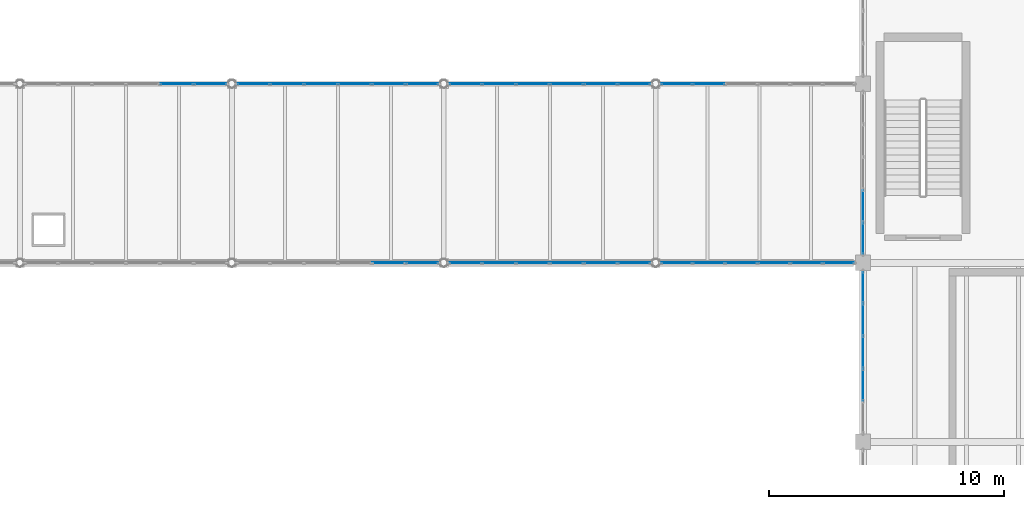
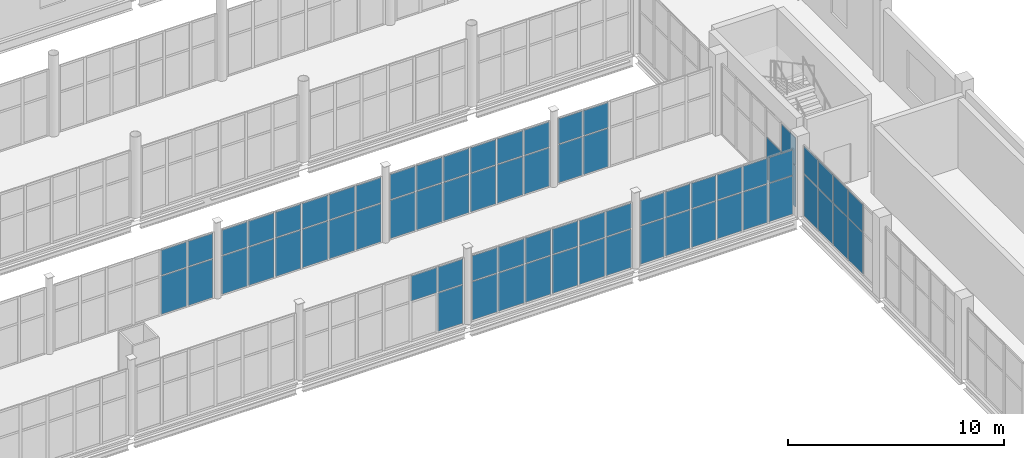
# One storey, part 138 of 172: 70 plates, 9 elements without a shape of their own.
"""IFC4 building model written with IfcOpenShell, lengths in metres."""

from ifc_helpers import new_model, si_unit, direction, frame, origin, origin_2d, place, context, subcontext, project, spatial, rectangle, extrude, material, layer, layer_set, type_object, element, aggregate, save


model = new_model("IFC4")

# Units and contexts
model_context = context("Model", 3, precision=1e-05, world=origin(), true_north=direction((0.0, 1.0)))
body_context = subcontext(model_context, "Body", "Model", "MODEL_VIEW")
ifc_project = project(units=[si_unit("LENGTHUNIT", "METRE"), si_unit("AREAUNIT", "SQUARE_METRE"), si_unit("VOLUMEUNIT", "CUBIC_METRE"), si_unit("PLANEANGLEUNIT", "RADIAN"), si_unit("MASSUNIT", "GRAM", prefix="KILO")], contexts=[model_context])

# Site, building, storey
site_placement = place(None, origin())
site = spatial("IfcSite", under=ifc_project, at=site_placement, CompositionType="ELEMENT")
building_placement = place(site_placement, origin())
building = spatial("IfcBuilding", under=site, at=building_placement, Name="Shengluoqiao Park Theatre", CompositionType="ELEMENT")
storey_placement = place(building_placement, frame((0.0, 0.0, 5.39990234375)))
storey = spatial("IfcBuildingStorey", under=building, at=storey_placement, Name="L01", CompositionType="ELEMENT", Elevation=5.39990234375)

# Curtain wall, plates
ifc_material_1 = material(Name="Aluminium 6063-T6", Category="aluminium")
curtain_wall_type_1 = type_object("IfcCurtainWallType", Name="ENV-CW-BRIDGE", PredefinedType="NOTDEFINED", material=ifc_material_1)
curtain_wall_1_placement = place(storey_placement, origin())
curtain_wall_1 = element("IfcCurtainWall", 1, at=curtain_wall_1_placement, inside=storey, type_object=curtain_wall_type_1, Name="L01 Curtain Wall CWX-L01-0133", PredefinedType="NOTDEFINED")
ifc_material_2 = material(Name="Insulated glass", Category="glass")
ifc_layer = layer(ifc_material_2, 0.0380859375, Name="Insulated glass")
ifc_layer_set = layer_set([ifc_layer], Name="Insulated glass")
plate_type = type_object("IfcPlateType", Name="ENV-GLZ-GL-38", PredefinedType="CURTAIN_PANEL", material=ifc_layer_set)
plate_1_placement = place(storey_placement, frame((137.05908203125, 53.199951171875, 2.28125), z_axis=(0.0, 0.0, 1.0), x_axis=(1.0, 0.0, 0.0)))
plate_1 = element("IfcPlate", 2, at=plate_1_placement, type_object=plate_type, Name="CW-03 panel 5.2", PredefinedType="CURTAIN_PANEL", context=body_context, shape_type="SweptSolid", body=[
    extrude(rectangle(XDim=1.37939453125, YDim=0.0380859375, at=origin_2d()), origin(), (0.0, 0.0, 1.0), 1.410888671875),
])
plate_2_placement = place(storey_placement, frame((138.4833984375, 53.199951171875, 0.06005859375), z_axis=(0.0, 0.0, 1.0), x_axis=(1.0, 0.0, 0.0)))
plate_2 = element("IfcPlate", 3, at=plate_2_placement, type_object=plate_type, Name="CW-03 panel 6.1", PredefinedType="CURTAIN_PANEL", context=body_context, shape_type="SweptSolid", body=[
    extrude(rectangle(XDim=1.349365234375, YDim=0.0380859375, at=origin_2d()), origin(), (0.0, 0.0, 1.0), 2.160888671875),
])
plate_3_placement = place(storey_placement, frame((138.4833984375, 53.199951171875, 2.28125), z_axis=(0.0, 0.0, 1.0), x_axis=(1.0, 0.0, 0.0)))
plate_3 = element("IfcPlate", 4, at=plate_3_placement, type_object=plate_type, Name="CW-03 panel 6.2", PredefinedType="CURTAIN_PANEL", context=body_context, shape_type="SweptSolid", body=[
    extrude(rectangle(XDim=1.349365234375, YDim=0.0380859375, at=origin_2d()), origin(), (0.0, 0.0, 1.0), 1.410888671875),
])
aggregate(curtain_wall_1, [plate_1, plate_2, plate_3])

curtain_wall_2_placement = place(storey_placement, origin())
curtain_wall_2 = element("IfcCurtainWall", 5, at=curtain_wall_2_placement, inside=storey, type_object=curtain_wall_type_1, Name="L01 Curtain Wall CWX-L01-0134", PredefinedType="NOTDEFINED")
plate_4_placement = place(storey_placement, frame((140.316650390625, 53.199951171875, 0.06005859375), z_axis=(0.0, 0.0, 1.0), x_axis=(1.0, 0.0, 0.0)))
plate_4 = element("IfcPlate", 6, at=plate_4_placement, type_object=plate_type, Name="CW-03 panel 1.1", PredefinedType="CURTAIN_PANEL", context=body_context, shape_type="SweptSolid", body=[
    extrude(rectangle(XDim=1.349365234375, YDim=0.0380859375, at=origin_2d()), origin(), (0.0, 0.0, 1.0), 2.160888671875),
])
plate_5_placement = place(storey_placement, frame((140.316650390625, 53.199951171875, 2.28125), z_axis=(0.0, 0.0, 1.0), x_axis=(1.0, 0.0, 0.0)))
plate_5 = element("IfcPlate", 7, at=plate_5_placement, type_object=plate_type, Name="CW-03 panel 1.2", PredefinedType="CURTAIN_PANEL", context=body_context, shape_type="SweptSolid", body=[
    extrude(rectangle(XDim=1.349365234375, YDim=0.0380859375, at=origin_2d()), origin(), (0.0, 0.0, 1.0), 1.410888671875),
])
plate_6_placement = place(storey_placement, frame((141.740966796875, 53.199951171875, 0.06005859375), z_axis=(0.0, 0.0, 1.0), x_axis=(1.0, 0.0, 0.0)))
plate_6 = element("IfcPlate", 8, at=plate_6_placement, type_object=plate_type, Name="CW-03 panel 2.1", PredefinedType="CURTAIN_PANEL", context=body_context, shape_type="SweptSolid", body=[
    extrude(rectangle(XDim=1.37939453125, YDim=0.0380859375, at=origin_2d()), origin(), (0.0, 0.0, 1.0), 2.160888671875),
])
plate_7_placement = place(storey_placement, frame((141.740966796875, 53.199951171875, 2.28125), z_axis=(0.0, 0.0, 1.0), x_axis=(1.0, 0.0, 0.0)))
plate_7 = element("IfcPlate", 9, at=plate_7_placement, type_object=plate_type, Name="CW-03 panel 2.2", PredefinedType="CURTAIN_PANEL", context=body_context, shape_type="SweptSolid", body=[
    extrude(rectangle(XDim=1.37939453125, YDim=0.0380859375, at=origin_2d()), origin(), (0.0, 0.0, 1.0), 1.410888671875),
])
plate_8_placement = place(storey_placement, frame((143.180419921875, 53.199951171875, 0.06005859375), z_axis=(0.0, 0.0, 1.0), x_axis=(1.0, 0.0, 0.0)))
plate_8 = element("IfcPlate", 10, at=plate_8_placement, type_object=plate_type, Name="CW-03 panel 3.1", PredefinedType="CURTAIN_PANEL", context=body_context, shape_type="SweptSolid", body=[
    extrude(rectangle(XDim=1.37939453125, YDim=0.0380859375, at=origin_2d()), origin(), (0.0, 0.0, 1.0), 2.160888671875),
])
plate_9_placement = place(storey_placement, frame((143.180419921875, 53.199951171875, 2.28125), z_axis=(0.0, 0.0, 1.0), x_axis=(1.0, 0.0, 0.0)))
plate_9 = element("IfcPlate", 11, at=plate_9_placement, type_object=plate_type, Name="CW-03 panel 3.2", PredefinedType="CURTAIN_PANEL", context=body_context, shape_type="SweptSolid", body=[
    extrude(rectangle(XDim=1.37939453125, YDim=0.0380859375, at=origin_2d()), origin(), (0.0, 0.0, 1.0), 1.410888671875),
])
plate_10_placement = place(storey_placement, frame((144.61962890625, 53.199951171875, 0.06005859375), z_axis=(0.0, 0.0, 1.0), x_axis=(1.0, 0.0, 0.0)))
plate_10 = element("IfcPlate", 12, at=plate_10_placement, type_object=plate_type, Name="CW-03 panel 4.1", PredefinedType="CURTAIN_PANEL", context=body_context, shape_type="SweptSolid", body=[
    extrude(rectangle(XDim=1.37939453125, YDim=0.0380859375, at=origin_2d()), origin(), (0.0, 0.0, 1.0), 2.160888671875),
])
plate_11_placement = place(storey_placement, frame((144.61962890625, 53.199951171875, 2.28125), z_axis=(0.0, 0.0, 1.0), x_axis=(1.0, 0.0, 0.0)))
plate_11 = element("IfcPlate", 13, at=plate_11_placement, type_object=plate_type, Name="CW-03 panel 4.2", PredefinedType="CURTAIN_PANEL", context=body_context, shape_type="SweptSolid", body=[
    extrude(rectangle(XDim=1.37939453125, YDim=0.0380859375, at=origin_2d()), origin(), (0.0, 0.0, 1.0), 1.410888671875),
])
plate_12_placement = place(storey_placement, frame((146.05908203125, 53.199951171875, 0.06005859375), z_axis=(0.0, 0.0, 1.0), x_axis=(1.0, 0.0, 0.0)))
plate_12 = element("IfcPlate", 14, at=plate_12_placement, type_object=plate_type, Name="CW-03 panel 5.1", PredefinedType="CURTAIN_PANEL", context=body_context, shape_type="SweptSolid", body=[
    extrude(rectangle(XDim=1.37939453125, YDim=0.0380859375, at=origin_2d()), origin(), (0.0, 0.0, 1.0), 2.160888671875),
])
plate_13_placement = place(storey_placement, frame((146.05908203125, 53.199951171875, 2.28125), z_axis=(0.0, 0.0, 1.0), x_axis=(1.0, 0.0, 0.0)))
plate_13 = element("IfcPlate", 15, at=plate_13_placement, type_object=plate_type, Name="CW-03 panel 5.2", PredefinedType="CURTAIN_PANEL", context=body_context, shape_type="SweptSolid", body=[
    extrude(rectangle(XDim=1.37939453125, YDim=0.0380859375, at=origin_2d()), origin(), (0.0, 0.0, 1.0), 1.410888671875),
])
plate_14_placement = place(storey_placement, frame((147.4833984375, 53.199951171875, 0.06005859375), z_axis=(0.0, 0.0, 1.0), x_axis=(1.0, 0.0, 0.0)))
plate_14 = element("IfcPlate", 16, at=plate_14_placement, type_object=plate_type, Name="CW-03 panel 6.1", PredefinedType="CURTAIN_PANEL", context=body_context, shape_type="SweptSolid", body=[
    extrude(rectangle(XDim=1.349365234375, YDim=0.0380859375, at=origin_2d()), origin(), (0.0, 0.0, 1.0), 2.160888671875),
])
plate_15_placement = place(storey_placement, frame((147.4833984375, 53.199951171875, 2.28125), z_axis=(0.0, 0.0, 1.0), x_axis=(1.0, 0.0, 0.0)))
plate_15 = element("IfcPlate", 17, at=plate_15_placement, type_object=plate_type, Name="CW-03 panel 6.2", PredefinedType="CURTAIN_PANEL", context=body_context, shape_type="SweptSolid", body=[
    extrude(rectangle(XDim=1.349365234375, YDim=0.0380859375, at=origin_2d()), origin(), (0.0, 0.0, 1.0), 1.410888671875),
])
aggregate(curtain_wall_2, [plate_4, plate_5, plate_6, plate_7, plate_8, plate_9, plate_10, plate_11, plate_12, plate_13, plate_14, plate_15])

curtain_wall_3_placement = place(storey_placement, origin())
curtain_wall_3 = element("IfcCurtainWall", 18, at=curtain_wall_3_placement, inside=storey, type_object=curtain_wall_type_1, Name="L01 Curtain Wall CWX-L01-0135", PredefinedType="NOTDEFINED")
plate_16_placement = place(storey_placement, frame((149.287841796875, 53.199951171875, 0.06005859375), z_axis=(0.0, 0.0, 1.0), x_axis=(1.0, 0.0, 0.0)))
plate_16 = element("IfcPlate", 19, at=plate_16_placement, type_object=plate_type, Name="CW-03 panel 1.1", PredefinedType="CURTAIN_PANEL", context=body_context, shape_type="SweptSolid", body=[
    extrude(rectangle(XDim=1.29150390625, YDim=0.0380859375, at=origin_2d()), origin(), (0.0, 0.0, 1.0), 2.155029296875),
])
plate_17_placement = place(storey_placement, frame((149.287841796875, 53.199951171875, 2.27490234375), z_axis=(0.0, 0.0, 1.0), x_axis=(1.0, 0.0, 0.0)))
plate_17 = element("IfcPlate", 20, at=plate_17_placement, type_object=plate_type, Name="CW-03 panel 1.2", PredefinedType="CURTAIN_PANEL", context=body_context, shape_type="SweptSolid", body=[
    extrude(rectangle(XDim=1.29150390625, YDim=0.0380859375, at=origin_2d()), origin(), (0.0, 0.0, 1.0), 1.406982421875),
])
plate_18_placement = place(storey_placement, frame((150.654296875, 53.199951171875, 0.06005859375), z_axis=(0.0, 0.0, 1.0), x_axis=(1.0, 0.0, 0.0)))
plate_18 = element("IfcPlate", 21, at=plate_18_placement, type_object=plate_type, Name="CW-03 panel 2.1", PredefinedType="CURTAIN_PANEL", context=body_context, shape_type="SweptSolid", body=[
    extrude(rectangle(XDim=1.321533203125, YDim=0.0380859375, at=origin_2d()), origin(), (0.0, 0.0, 1.0), 2.155029296875),
])
plate_19_placement = place(storey_placement, frame((150.654296875, 53.199951171875, 2.27490234375), z_axis=(0.0, 0.0, 1.0), x_axis=(1.0, 0.0, 0.0)))
plate_19 = element("IfcPlate", 22, at=plate_19_placement, type_object=plate_type, Name="CW-03 panel 2.2", PredefinedType="CURTAIN_PANEL", context=body_context, shape_type="SweptSolid", body=[
    extrude(rectangle(XDim=1.321533203125, YDim=0.0380859375, at=origin_2d()), origin(), (0.0, 0.0, 1.0), 1.406982421875),
])
plate_20_placement = place(storey_placement, frame((152.03564453125, 53.199951171875, 0.06005859375), z_axis=(0.0, 0.0, 1.0), x_axis=(1.0, 0.0, 0.0)))
plate_20 = element("IfcPlate", 23, at=plate_20_placement, type_object=plate_type, Name="CW-03 panel 3.1", PredefinedType="CURTAIN_PANEL", context=body_context, shape_type="SweptSolid", body=[
    extrude(rectangle(XDim=1.321533203125, YDim=0.0380859375, at=origin_2d()), origin(), (0.0, 0.0, 1.0), 2.155029296875),
])
plate_21_placement = place(storey_placement, frame((152.03564453125, 53.199951171875, 2.27490234375), z_axis=(0.0, 0.0, 1.0), x_axis=(1.0, 0.0, 0.0)))
plate_21 = element("IfcPlate", 24, at=plate_21_placement, type_object=plate_type, Name="CW-03 panel 3.2", PredefinedType="CURTAIN_PANEL", context=body_context, shape_type="SweptSolid", body=[
    extrude(rectangle(XDim=1.321533203125, YDim=0.0380859375, at=origin_2d()), origin(), (0.0, 0.0, 1.0), 1.406982421875),
])
plate_22_placement = place(storey_placement, frame((153.417236328125, 53.199951171875, 0.06005859375), z_axis=(0.0, 0.0, 1.0), x_axis=(1.0, 0.0, 0.0)))
plate_22 = element("IfcPlate", 25, at=plate_22_placement, type_object=plate_type, Name="CW-03 panel 4.1", PredefinedType="CURTAIN_PANEL", context=body_context, shape_type="SweptSolid", body=[
    extrude(rectangle(XDim=1.321533203125, YDim=0.0380859375, at=origin_2d()), origin(), (0.0, 0.0, 1.0), 2.155029296875),
])
plate_23_placement = place(storey_placement, frame((153.417236328125, 53.199951171875, 2.27490234375), z_axis=(0.0, 0.0, 1.0), x_axis=(1.0, 0.0, 0.0)))
plate_23 = element("IfcPlate", 26, at=plate_23_placement, type_object=plate_type, Name="CW-03 panel 4.2", PredefinedType="CURTAIN_PANEL", context=body_context, shape_type="SweptSolid", body=[
    extrude(rectangle(XDim=1.321533203125, YDim=0.0380859375, at=origin_2d()), origin(), (0.0, 0.0, 1.0), 1.406982421875),
])
plate_24_placement = place(storey_placement, frame((154.798828125, 53.199951171875, 0.06005859375), z_axis=(0.0, 0.0, 1.0), x_axis=(1.0, 0.0, 0.0)))
plate_24 = element("IfcPlate", 27, at=plate_24_placement, type_object=plate_type, Name="CW-03 panel 5.1", PredefinedType="CURTAIN_PANEL", context=body_context, shape_type="SweptSolid", body=[
    extrude(rectangle(XDim=1.321533203125, YDim=0.0380859375, at=origin_2d()), origin(), (0.0, 0.0, 1.0), 2.155029296875),
])
plate_25_placement = place(storey_placement, frame((154.798828125, 53.199951171875, 2.27490234375), z_axis=(0.0, 0.0, 1.0), x_axis=(1.0, 0.0, 0.0)))
plate_25 = element("IfcPlate", 28, at=plate_25_placement, type_object=plate_type, Name="CW-03 panel 5.2", PredefinedType="CURTAIN_PANEL", context=body_context, shape_type="SweptSolid", body=[
    extrude(rectangle(XDim=1.321533203125, YDim=0.0380859375, at=origin_2d()), origin(), (0.0, 0.0, 1.0), 1.406982421875),
])
plate_26_placement = place(storey_placement, frame((156.165283203125, 53.199951171875, 0.06005859375), z_axis=(0.0, 0.0, 1.0), x_axis=(1.0, 0.0, 0.0)))
plate_26 = element("IfcPlate", 29, at=plate_26_placement, type_object=plate_type, Name="CW-03 panel 6.1", PredefinedType="CURTAIN_PANEL", context=body_context, shape_type="SweptSolid", body=[
    extrude(rectangle(XDim=1.29150390625, YDim=0.0380859375, at=origin_2d()), origin(), (0.0, 0.0, 1.0), 2.155029296875),
])
plate_27_placement = place(storey_placement, frame((156.165283203125, 53.199951171875, 2.27490234375), z_axis=(0.0, 0.0, 1.0), x_axis=(1.0, 0.0, 0.0)))
plate_27 = element("IfcPlate", 30, at=plate_27_placement, type_object=plate_type, Name="CW-03 panel 6.2", PredefinedType="CURTAIN_PANEL", context=body_context, shape_type="SweptSolid", body=[
    extrude(rectangle(XDim=1.29150390625, YDim=0.0380859375, at=origin_2d()), origin(), (0.0, 0.0, 1.0), 1.406982421875),
])
aggregate(curtain_wall_3, [plate_16, plate_17, plate_18, plate_19, plate_20, plate_21, plate_22, plate_23, plate_24, plate_25, plate_26, plate_27])

curtain_wall_4_placement = place(storey_placement, origin())
curtain_wall_4 = element("IfcCurtainWall", 31, at=curtain_wall_4_placement, inside=storey, type_object=curtain_wall_type_1, Name="L01 Curtain Wall CWX-L01-0145", PredefinedType="NOTDEFINED")
plate_28_placement = place(storey_placement, frame((128.05908203125, 60.800048828125, 0.06005859375), z_axis=(0.0, 0.0, 1.0), x_axis=(1.0, 0.0, 0.0)))
plate_28 = element("IfcPlate", 32, at=plate_28_placement, type_object=plate_type, Name="CW-03 panel 5.1", PredefinedType="CURTAIN_PANEL", context=body_context, shape_type="SweptSolid", body=[
    extrude(rectangle(XDim=1.37939453125, YDim=0.0380859375, at=origin_2d()), origin(), (0.0, 0.0, 1.0), 2.160888671875),
])
plate_29_placement = place(storey_placement, frame((128.05908203125, 60.800048828125, 2.28125), z_axis=(0.0, 0.0, 1.0), x_axis=(1.0, 0.0, 0.0)))
plate_29 = element("IfcPlate", 33, at=plate_29_placement, type_object=plate_type, Name="CW-03 panel 5.2", PredefinedType="CURTAIN_PANEL", context=body_context, shape_type="SweptSolid", body=[
    extrude(rectangle(XDim=1.37939453125, YDim=0.0380859375, at=origin_2d()), origin(), (0.0, 0.0, 1.0), 1.410888671875),
])
plate_30_placement = place(storey_placement, frame((129.4833984375, 60.800048828125, 0.06005859375), z_axis=(0.0, 0.0, 1.0), x_axis=(1.0, 0.0, 0.0)))
plate_30 = element("IfcPlate", 34, at=plate_30_placement, type_object=plate_type, Name="CW-03 panel 6.1", PredefinedType="CURTAIN_PANEL", context=body_context, shape_type="SweptSolid", body=[
    extrude(rectangle(XDim=1.349365234375, YDim=0.0380859375, at=origin_2d()), origin(), (0.0, 0.0, 1.0), 2.160888671875),
])
plate_31_placement = place(storey_placement, frame((129.4833984375, 60.800048828125, 2.28125), z_axis=(0.0, 0.0, 1.0), x_axis=(1.0, 0.0, 0.0)))
plate_31 = element("IfcPlate", 35, at=plate_31_placement, type_object=plate_type, Name="CW-03 panel 6.2", PredefinedType="CURTAIN_PANEL", context=body_context, shape_type="SweptSolid", body=[
    extrude(rectangle(XDim=1.349365234375, YDim=0.0380859375, at=origin_2d()), origin(), (0.0, 0.0, 1.0), 1.410888671875),
])
aggregate(curtain_wall_4, [plate_28, plate_29, plate_30, plate_31])

curtain_wall_5_placement = place(storey_placement, origin())
curtain_wall_5 = element("IfcCurtainWall", 36, at=curtain_wall_5_placement, inside=storey, type_object=curtain_wall_type_1, Name="L01 Curtain Wall CWX-L01-0146", PredefinedType="NOTDEFINED")
plate_32_placement = place(storey_placement, frame((131.316650390625, 60.800048828125, 0.06005859375), z_axis=(0.0, 0.0, 1.0), x_axis=(1.0, 0.0, 0.0)))
plate_32 = element("IfcPlate", 37, at=plate_32_placement, type_object=plate_type, Name="CW-03 panel 1.1", PredefinedType="CURTAIN_PANEL", context=body_context, shape_type="SweptSolid", body=[
    extrude(rectangle(XDim=1.349365234375, YDim=0.0380859375, at=origin_2d()), origin(), (0.0, 0.0, 1.0), 2.160888671875),
])
plate_33_placement = place(storey_placement, frame((131.316650390625, 60.800048828125, 2.28125), z_axis=(0.0, 0.0, 1.0), x_axis=(1.0, 0.0, 0.0)))
plate_33 = element("IfcPlate", 38, at=plate_33_placement, type_object=plate_type, Name="CW-03 panel 1.2", PredefinedType="CURTAIN_PANEL", context=body_context, shape_type="SweptSolid", body=[
    extrude(rectangle(XDim=1.349365234375, YDim=0.0380859375, at=origin_2d()), origin(), (0.0, 0.0, 1.0), 1.410888671875),
])
plate_34_placement = place(storey_placement, frame((132.740966796875, 60.800048828125, 0.06005859375), z_axis=(0.0, 0.0, 1.0), x_axis=(1.0, 0.0, 0.0)))
plate_34 = element("IfcPlate", 39, at=plate_34_placement, type_object=plate_type, Name="CW-03 panel 2.1", PredefinedType="CURTAIN_PANEL", context=body_context, shape_type="SweptSolid", body=[
    extrude(rectangle(XDim=1.37939453125, YDim=0.0380859375, at=origin_2d()), origin(), (0.0, 0.0, 1.0), 2.160888671875),
])
plate_35_placement = place(storey_placement, frame((132.740966796875, 60.800048828125, 2.28125), z_axis=(0.0, 0.0, 1.0), x_axis=(1.0, 0.0, 0.0)))
plate_35 = element("IfcPlate", 40, at=plate_35_placement, type_object=plate_type, Name="CW-03 panel 2.2", PredefinedType="CURTAIN_PANEL", context=body_context, shape_type="SweptSolid", body=[
    extrude(rectangle(XDim=1.37939453125, YDim=0.0380859375, at=origin_2d()), origin(), (0.0, 0.0, 1.0), 1.410888671875),
])
plate_36_placement = place(storey_placement, frame((134.180419921875, 60.800048828125, 0.06005859375), z_axis=(0.0, 0.0, 1.0), x_axis=(1.0, 0.0, 0.0)))
plate_36 = element("IfcPlate", 41, at=plate_36_placement, type_object=plate_type, Name="CW-03 panel 3.1", PredefinedType="CURTAIN_PANEL", context=body_context, shape_type="SweptSolid", body=[
    extrude(rectangle(XDim=1.37939453125, YDim=0.0380859375, at=origin_2d()), origin(), (0.0, 0.0, 1.0), 2.160888671875),
])
plate_37_placement = place(storey_placement, frame((134.180419921875, 60.800048828125, 2.28125), z_axis=(0.0, 0.0, 1.0), x_axis=(1.0, 0.0, 0.0)))
plate_37 = element("IfcPlate", 42, at=plate_37_placement, type_object=plate_type, Name="CW-03 panel 3.2", PredefinedType="CURTAIN_PANEL", context=body_context, shape_type="SweptSolid", body=[
    extrude(rectangle(XDim=1.37939453125, YDim=0.0380859375, at=origin_2d()), origin(), (0.0, 0.0, 1.0), 1.410888671875),
])
plate_38_placement = place(storey_placement, frame((135.61962890625, 60.800048828125, 0.06005859375), z_axis=(0.0, 0.0, 1.0), x_axis=(1.0, 0.0, 0.0)))
plate_38 = element("IfcPlate", 43, at=plate_38_placement, type_object=plate_type, Name="CW-03 panel 4.1", PredefinedType="CURTAIN_PANEL", context=body_context, shape_type="SweptSolid", body=[
    extrude(rectangle(XDim=1.37939453125, YDim=0.0380859375, at=origin_2d()), origin(), (0.0, 0.0, 1.0), 2.160888671875),
])
plate_39_placement = place(storey_placement, frame((135.61962890625, 60.800048828125, 2.28125), z_axis=(0.0, 0.0, 1.0), x_axis=(1.0, 0.0, 0.0)))
plate_39 = element("IfcPlate", 44, at=plate_39_placement, type_object=plate_type, Name="CW-03 panel 4.2", PredefinedType="CURTAIN_PANEL", context=body_context, shape_type="SweptSolid", body=[
    extrude(rectangle(XDim=1.37939453125, YDim=0.0380859375, at=origin_2d()), origin(), (0.0, 0.0, 1.0), 1.410888671875),
])
plate_40_placement = place(storey_placement, frame((137.05908203125, 60.800048828125, 0.06005859375), z_axis=(0.0, 0.0, 1.0), x_axis=(1.0, 0.0, 0.0)))
plate_40 = element("IfcPlate", 45, at=plate_40_placement, type_object=plate_type, Name="CW-03 panel 5.1", PredefinedType="CURTAIN_PANEL", context=body_context, shape_type="SweptSolid", body=[
    extrude(rectangle(XDim=1.37939453125, YDim=0.0380859375, at=origin_2d()), origin(), (0.0, 0.0, 1.0), 2.160888671875),
])
plate_41_placement = place(storey_placement, frame((137.05908203125, 60.800048828125, 2.28125), z_axis=(0.0, 0.0, 1.0), x_axis=(1.0, 0.0, 0.0)))
plate_41 = element("IfcPlate", 46, at=plate_41_placement, type_object=plate_type, Name="CW-03 panel 5.2", PredefinedType="CURTAIN_PANEL", context=body_context, shape_type="SweptSolid", body=[
    extrude(rectangle(XDim=1.37939453125, YDim=0.0380859375, at=origin_2d()), origin(), (0.0, 0.0, 1.0), 1.410888671875),
])
plate_42_placement = place(storey_placement, frame((138.4833984375, 60.800048828125, 0.06005859375), z_axis=(0.0, 0.0, 1.0), x_axis=(1.0, 0.0, 0.0)))
plate_42 = element("IfcPlate", 47, at=plate_42_placement, type_object=plate_type, Name="CW-03 panel 6.1", PredefinedType="CURTAIN_PANEL", context=body_context, shape_type="SweptSolid", body=[
    extrude(rectangle(XDim=1.349365234375, YDim=0.0380859375, at=origin_2d()), origin(), (0.0, 0.0, 1.0), 2.160888671875),
])
plate_43_placement = place(storey_placement, frame((138.4833984375, 60.800048828125, 2.28125), z_axis=(0.0, 0.0, 1.0), x_axis=(1.0, 0.0, 0.0)))
plate_43 = element("IfcPlate", 48, at=plate_43_placement, type_object=plate_type, Name="CW-03 panel 6.2", PredefinedType="CURTAIN_PANEL", context=body_context, shape_type="SweptSolid", body=[
    extrude(rectangle(XDim=1.349365234375, YDim=0.0380859375, at=origin_2d()), origin(), (0.0, 0.0, 1.0), 1.410888671875),
])
aggregate(curtain_wall_5, [plate_32, plate_33, plate_34, plate_35, plate_36, plate_37, plate_38, plate_39, plate_40, plate_41, plate_42, plate_43])

curtain_wall_6_placement = place(storey_placement, origin())
curtain_wall_6 = element("IfcCurtainWall", 49, at=curtain_wall_6_placement, inside=storey, type_object=curtain_wall_type_1, Name="L01 Curtain Wall CWX-L01-0147", PredefinedType="NOTDEFINED")
plate_44_placement = place(storey_placement, frame((140.316650390625, 60.800048828125, 0.06005859375), z_axis=(0.0, 0.0, 1.0), x_axis=(1.0, 0.0, 0.0)))
plate_44 = element("IfcPlate", 50, at=plate_44_placement, type_object=plate_type, Name="CW-03 panel 1.1", PredefinedType="CURTAIN_PANEL", context=body_context, shape_type="SweptSolid", body=[
    extrude(rectangle(XDim=1.349365234375, YDim=0.0380859375, at=origin_2d()), origin(), (0.0, 0.0, 1.0), 2.160888671875),
])
plate_45_placement = place(storey_placement, frame((140.316650390625, 60.800048828125, 2.28125), z_axis=(0.0, 0.0, 1.0), x_axis=(1.0, 0.0, 0.0)))
plate_45 = element("IfcPlate", 51, at=plate_45_placement, type_object=plate_type, Name="CW-03 panel 1.2", PredefinedType="CURTAIN_PANEL", context=body_context, shape_type="SweptSolid", body=[
    extrude(rectangle(XDim=1.349365234375, YDim=0.0380859375, at=origin_2d()), origin(), (0.0, 0.0, 1.0), 1.410888671875),
])
plate_46_placement = place(storey_placement, frame((141.740966796875, 60.800048828125, 0.06005859375), z_axis=(0.0, 0.0, 1.0), x_axis=(1.0, 0.0, 0.0)))
plate_46 = element("IfcPlate", 52, at=plate_46_placement, type_object=plate_type, Name="CW-03 panel 2.1", PredefinedType="CURTAIN_PANEL", context=body_context, shape_type="SweptSolid", body=[
    extrude(rectangle(XDim=1.37939453125, YDim=0.0380859375, at=origin_2d()), origin(), (0.0, 0.0, 1.0), 2.160888671875),
])
plate_47_placement = place(storey_placement, frame((141.740966796875, 60.800048828125, 2.28125), z_axis=(0.0, 0.0, 1.0), x_axis=(1.0, 0.0, 0.0)))
plate_47 = element("IfcPlate", 53, at=plate_47_placement, type_object=plate_type, Name="CW-03 panel 2.2", PredefinedType="CURTAIN_PANEL", context=body_context, shape_type="SweptSolid", body=[
    extrude(rectangle(XDim=1.37939453125, YDim=0.0380859375, at=origin_2d()), origin(), (0.0, 0.0, 1.0), 1.410888671875),
])
plate_48_placement = place(storey_placement, frame((143.180419921875, 60.800048828125, 0.06005859375), z_axis=(0.0, 0.0, 1.0), x_axis=(1.0, 0.0, 0.0)))
plate_48 = element("IfcPlate", 54, at=plate_48_placement, type_object=plate_type, Name="CW-03 panel 3.1", PredefinedType="CURTAIN_PANEL", context=body_context, shape_type="SweptSolid", body=[
    extrude(rectangle(XDim=1.37939453125, YDim=0.0380859375, at=origin_2d()), origin(), (0.0, 0.0, 1.0), 2.160888671875),
])
plate_49_placement = place(storey_placement, frame((143.180419921875, 60.800048828125, 2.28125), z_axis=(0.0, 0.0, 1.0), x_axis=(1.0, 0.0, 0.0)))
plate_49 = element("IfcPlate", 55, at=plate_49_placement, type_object=plate_type, Name="CW-03 panel 3.2", PredefinedType="CURTAIN_PANEL", context=body_context, shape_type="SweptSolid", body=[
    extrude(rectangle(XDim=1.37939453125, YDim=0.0380859375, at=origin_2d()), origin(), (0.0, 0.0, 1.0), 1.410888671875),
])
plate_50_placement = place(storey_placement, frame((144.61962890625, 60.800048828125, 0.06005859375), z_axis=(0.0, 0.0, 1.0), x_axis=(1.0, 0.0, 0.0)))
plate_50 = element("IfcPlate", 56, at=plate_50_placement, type_object=plate_type, Name="CW-03 panel 4.1", PredefinedType="CURTAIN_PANEL", context=body_context, shape_type="SweptSolid", body=[
    extrude(rectangle(XDim=1.37939453125, YDim=0.0380859375, at=origin_2d()), origin(), (0.0, 0.0, 1.0), 2.160888671875),
])
plate_51_placement = place(storey_placement, frame((144.61962890625, 60.800048828125, 2.28125), z_axis=(0.0, 0.0, 1.0), x_axis=(1.0, 0.0, 0.0)))
plate_51 = element("IfcPlate", 57, at=plate_51_placement, type_object=plate_type, Name="CW-03 panel 4.2", PredefinedType="CURTAIN_PANEL", context=body_context, shape_type="SweptSolid", body=[
    extrude(rectangle(XDim=1.37939453125, YDim=0.0380859375, at=origin_2d()), origin(), (0.0, 0.0, 1.0), 1.410888671875),
])
plate_52_placement = place(storey_placement, frame((146.05908203125, 60.800048828125, 0.06005859375), z_axis=(0.0, 0.0, 1.0), x_axis=(1.0, 0.0, 0.0)))
plate_52 = element("IfcPlate", 58, at=plate_52_placement, type_object=plate_type, Name="CW-03 panel 5.1", PredefinedType="CURTAIN_PANEL", context=body_context, shape_type="SweptSolid", body=[
    extrude(rectangle(XDim=1.37939453125, YDim=0.0380859375, at=origin_2d()), origin(), (0.0, 0.0, 1.0), 2.160888671875),
])
plate_53_placement = place(storey_placement, frame((146.05908203125, 60.800048828125, 2.28125), z_axis=(0.0, 0.0, 1.0), x_axis=(1.0, 0.0, 0.0)))
plate_53 = element("IfcPlate", 59, at=plate_53_placement, type_object=plate_type, Name="CW-03 panel 5.2", PredefinedType="CURTAIN_PANEL", context=body_context, shape_type="SweptSolid", body=[
    extrude(rectangle(XDim=1.37939453125, YDim=0.0380859375, at=origin_2d()), origin(), (0.0, 0.0, 1.0), 1.410888671875),
])
plate_54_placement = place(storey_placement, frame((147.4833984375, 60.800048828125, 0.06005859375), z_axis=(0.0, 0.0, 1.0), x_axis=(1.0, 0.0, 0.0)))
plate_54 = element("IfcPlate", 60, at=plate_54_placement, type_object=plate_type, Name="CW-03 panel 6.1", PredefinedType="CURTAIN_PANEL", context=body_context, shape_type="SweptSolid", body=[
    extrude(rectangle(XDim=1.349365234375, YDim=0.0380859375, at=origin_2d()), origin(), (0.0, 0.0, 1.0), 2.160888671875),
])
plate_55_placement = place(storey_placement, frame((147.4833984375, 60.800048828125, 2.28125), z_axis=(0.0, 0.0, 1.0), x_axis=(1.0, 0.0, 0.0)))
plate_55 = element("IfcPlate", 61, at=plate_55_placement, type_object=plate_type, Name="CW-03 panel 6.2", PredefinedType="CURTAIN_PANEL", context=body_context, shape_type="SweptSolid", body=[
    extrude(rectangle(XDim=1.349365234375, YDim=0.0380859375, at=origin_2d()), origin(), (0.0, 0.0, 1.0), 1.410888671875),
])
aggregate(curtain_wall_6, [plate_44, plate_45, plate_46, plate_47, plate_48, plate_49, plate_50, plate_51, plate_52, plate_53, plate_54, plate_55])

curtain_wall_7_placement = place(storey_placement, origin())
curtain_wall_7 = element("IfcCurtainWall", 62, at=curtain_wall_7_placement, inside=storey, type_object=curtain_wall_type_1, Name="L01 Curtain Wall CWX-L01-0148", PredefinedType="NOTDEFINED")
plate_56_placement = place(storey_placement, frame((149.287841796875, 60.800048828125, 0.06005859375), z_axis=(0.0, 0.0, 1.0), x_axis=(1.0, 0.0, 0.0)))
plate_56 = element("IfcPlate", 63, at=plate_56_placement, type_object=plate_type, Name="CW-03 panel 1.1", PredefinedType="CURTAIN_PANEL", context=body_context, shape_type="SweptSolid", body=[
    extrude(rectangle(XDim=1.29150390625, YDim=0.0380859375, at=origin_2d()), origin(), (0.0, 0.0, 1.0), 2.155029296875),
])
plate_57_placement = place(storey_placement, frame((149.287841796875, 60.800048828125, 2.27490234375), z_axis=(0.0, 0.0, 1.0), x_axis=(1.0, 0.0, 0.0)))
plate_57 = element("IfcPlate", 64, at=plate_57_placement, type_object=plate_type, Name="CW-03 panel 1.2", PredefinedType="CURTAIN_PANEL", context=body_context, shape_type="SweptSolid", body=[
    extrude(rectangle(XDim=1.29150390625, YDim=0.0380859375, at=origin_2d()), origin(), (0.0, 0.0, 1.0), 1.406982421875),
])
plate_58_placement = place(storey_placement, frame((150.654296875, 60.800048828125, 0.06005859375), z_axis=(0.0, 0.0, 1.0), x_axis=(1.0, 0.0, 0.0)))
plate_58 = element("IfcPlate", 65, at=plate_58_placement, type_object=plate_type, Name="CW-03 panel 2.1", PredefinedType="CURTAIN_PANEL", context=body_context, shape_type="SweptSolid", body=[
    extrude(rectangle(XDim=1.321533203125, YDim=0.0380859375, at=origin_2d()), origin(), (0.0, 0.0, 1.0), 2.155029296875),
])
plate_59_placement = place(storey_placement, frame((150.654296875, 60.800048828125, 2.27490234375), z_axis=(0.0, 0.0, 1.0), x_axis=(1.0, 0.0, 0.0)))
plate_59 = element("IfcPlate", 66, at=plate_59_placement, type_object=plate_type, Name="CW-03 panel 2.2", PredefinedType="CURTAIN_PANEL", context=body_context, shape_type="SweptSolid", body=[
    extrude(rectangle(XDim=1.321533203125, YDim=0.0380859375, at=origin_2d()), origin(), (0.0, 0.0, 1.0), 1.406982421875),
])
aggregate(curtain_wall_7, [plate_56, plate_57, plate_58, plate_59])

curtain_wall_type_2 = type_object("IfcCurtainWallType", Name="ENV-CW-COURT", PredefinedType="NOTDEFINED", material=ifc_material_1)
curtain_wall_8_placement = place(storey_placement, origin())
curtain_wall_8 = element("IfcCurtainWall", 67, at=curtain_wall_8_placement, inside=storey, type_object=curtain_wall_type_2, Name="L01 Curtain Wall CWX-L01-0184", PredefinedType="NOTDEFINED")
plate_60_placement = place(storey_placement, frame((157.199951171875, 48.01171875, 0.06005859375), z_axis=(0.0, 0.0, 1.0), x_axis=(0.0, 1.0, 0.0)))
plate_60 = element("IfcPlate", 68, at=plate_60_placement, type_object=plate_type, Name="CW-05 panel 2.1", PredefinedType="CURTAIN_PANEL", context=body_context, shape_type="SweptSolid", body=[
    extrude(rectangle(XDim=1.328369140625, YDim=0.0380859375, at=origin_2d()), origin(), (0.0, 0.0, 1.0), 2.3359375),
])
plate_61_placement = place(storey_placement, frame((157.199951171875, 48.01171875, 2.4560546875), z_axis=(0.0, 0.0, 1.0), x_axis=(0.0, 1.0, 0.0)))
plate_61 = element("IfcPlate", 69, at=plate_61_placement, type_object=plate_type, Name="CW-05 panel 2.2", PredefinedType="CURTAIN_PANEL", context=body_context, shape_type="SweptSolid", body=[
    extrude(rectangle(XDim=1.328369140625, YDim=0.0380859375, at=origin_2d()), origin(), (0.0, 0.0, 1.0), 1.528076171875),
])
plate_62_placement = place(storey_placement, frame((157.199951171875, 49.39990234375, 0.06005859375), z_axis=(0.0, 0.0, 1.0), x_axis=(0.0, 1.0, 0.0)))
plate_62 = element("IfcPlate", 70, at=plate_62_placement, type_object=plate_type, Name="CW-05 panel 3.1", PredefinedType="CURTAIN_PANEL", context=body_context, shape_type="SweptSolid", body=[
    extrude(rectangle(XDim=1.328369140625, YDim=0.0380859375, at=origin_2d()), origin(), (0.0, 0.0, 1.0), 2.3359375),
])
plate_63_placement = place(storey_placement, frame((157.199951171875, 49.39990234375, 2.4560546875), z_axis=(0.0, 0.0, 1.0), x_axis=(0.0, 1.0, 0.0)))
plate_63 = element("IfcPlate", 71, at=plate_63_placement, type_object=plate_type, Name="CW-05 panel 3.2", PredefinedType="CURTAIN_PANEL", context=body_context, shape_type="SweptSolid", body=[
    extrude(rectangle(XDim=1.328369140625, YDim=0.0380859375, at=origin_2d()), origin(), (0.0, 0.0, 1.0), 1.528076171875),
])
plate_64_placement = place(storey_placement, frame((157.199951171875, 50.788330078125, 0.06005859375), z_axis=(0.0, 0.0, 1.0), x_axis=(0.0, 1.0, 0.0)))
plate_64 = element("IfcPlate", 72, at=plate_64_placement, type_object=plate_type, Name="CW-05 panel 4.1", PredefinedType="CURTAIN_PANEL", context=body_context, shape_type="SweptSolid", body=[
    extrude(rectangle(XDim=1.328369140625, YDim=0.0380859375, at=origin_2d()), origin(), (0.0, 0.0, 1.0), 2.3359375),
])
plate_65_placement = place(storey_placement, frame((157.199951171875, 50.788330078125, 2.4560546875), z_axis=(0.0, 0.0, 1.0), x_axis=(0.0, 1.0, 0.0)))
plate_65 = element("IfcPlate", 73, at=plate_65_placement, type_object=plate_type, Name="CW-05 panel 4.2", PredefinedType="CURTAIN_PANEL", context=body_context, shape_type="SweptSolid", body=[
    extrude(rectangle(XDim=1.328369140625, YDim=0.0380859375, at=origin_2d()), origin(), (0.0, 0.0, 1.0), 1.528076171875),
])
plate_66_placement = place(storey_placement, frame((157.199951171875, 52.161865234375, 0.06005859375), z_axis=(0.0, 0.0, 1.0), x_axis=(0.0, 1.0, 0.0)))
plate_66 = element("IfcPlate", 74, at=plate_66_placement, type_object=plate_type, Name="CW-05 panel 5.1", PredefinedType="CURTAIN_PANEL", context=body_context, shape_type="SweptSolid", body=[
    extrude(rectangle(XDim=1.29833984375, YDim=0.0380859375, at=origin_2d()), origin(), (0.0, 0.0, 1.0), 2.3359375),
])
plate_67_placement = place(storey_placement, frame((157.199951171875, 52.161865234375, 2.4560546875), z_axis=(0.0, 0.0, 1.0), x_axis=(0.0, 1.0, 0.0)))
plate_67 = element("IfcPlate", 75, at=plate_67_placement, type_object=plate_type, Name="CW-05 panel 5.2", PredefinedType="CURTAIN_PANEL", context=body_context, shape_type="SweptSolid", body=[
    extrude(rectangle(XDim=1.29833984375, YDim=0.0380859375, at=origin_2d()), origin(), (0.0, 0.0, 1.0), 1.528076171875),
])
aggregate(curtain_wall_8, [plate_60, plate_61, plate_62, plate_63, plate_64, plate_65, plate_66, plate_67])

curtain_wall_9_placement = place(storey_placement, origin())
curtain_wall_9 = element("IfcCurtainWall", 76, at=curtain_wall_9_placement, inside=storey, type_object=curtain_wall_type_2, Name="L01 Curtain Wall CWX-L01-0185", PredefinedType="NOTDEFINED")
plate_68_placement = place(storey_placement, frame((157.199951171875, 54.23828125, 0.06005859375), z_axis=(0.0, 0.0, 1.0), x_axis=(0.0, 1.0, 0.0)))
plate_68 = element("IfcPlate", 77, at=plate_68_placement, type_object=plate_type, Name="CW-05 panel 1.1", PredefinedType="CURTAIN_PANEL", context=body_context, shape_type="SweptSolid", body=[
    extrude(rectangle(XDim=1.29833984375, YDim=0.0380859375, at=origin_2d()), origin(), (0.0, 0.0, 1.0), 2.3359375),
])
plate_69_placement = place(storey_placement, frame((157.199951171875, 54.23828125, 2.4560546875), z_axis=(0.0, 0.0, 1.0), x_axis=(0.0, 1.0, 0.0)))
plate_69 = element("IfcPlate", 78, at=plate_69_placement, type_object=plate_type, Name="CW-05 panel 1.2", PredefinedType="CURTAIN_PANEL", context=body_context, shape_type="SweptSolid", body=[
    extrude(rectangle(XDim=1.29833984375, YDim=0.0380859375, at=origin_2d()), origin(), (0.0, 0.0, 1.0), 1.528076171875),
])
plate_70_placement = place(storey_placement, frame((157.199951171875, 55.611572265625, 0.06005859375), z_axis=(0.0, 0.0, 1.0), x_axis=(0.0, 1.0, 0.0)))
plate_70 = element("IfcPlate", 79, at=plate_70_placement, type_object=plate_type, Name="CW-05 panel 2.1", PredefinedType="CURTAIN_PANEL", context=body_context, shape_type="SweptSolid", body=[
    extrude(rectangle(XDim=1.328369140625, YDim=0.0380859375, at=origin_2d()), origin(), (0.0, 0.0, 1.0), 2.3359375),
])
aggregate(curtain_wall_9, [plate_68, plate_69, plate_70])

save(model, "model.ifc")
